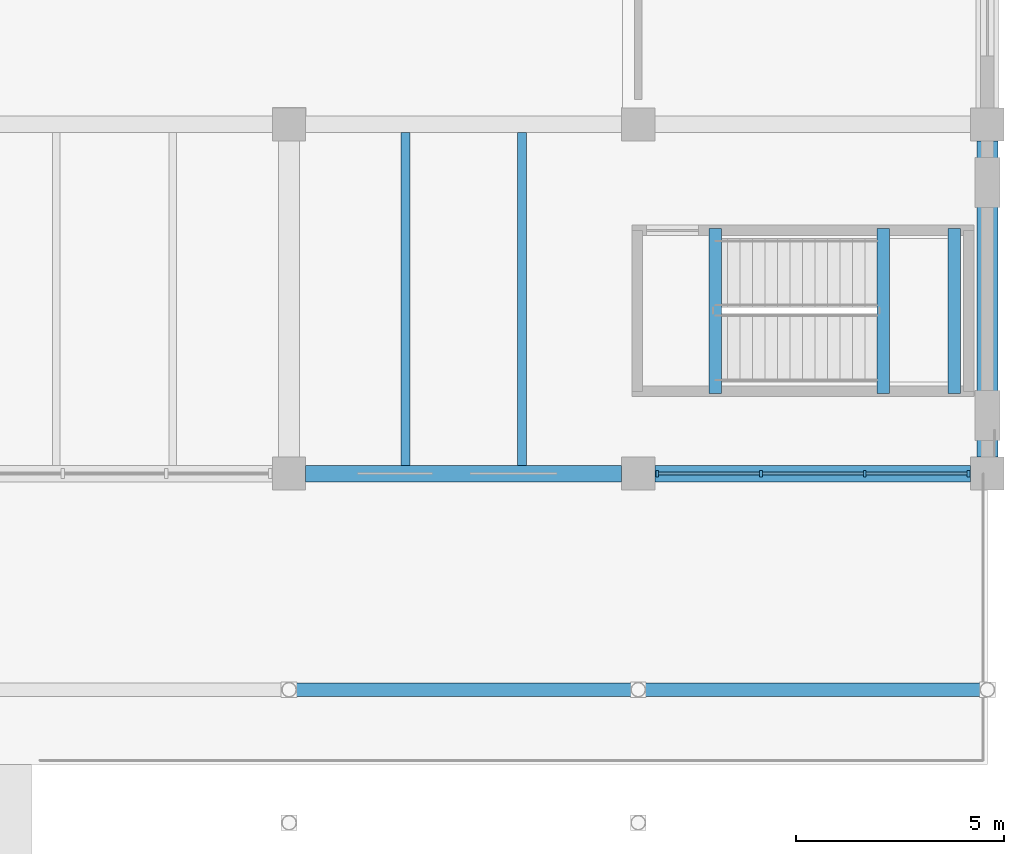
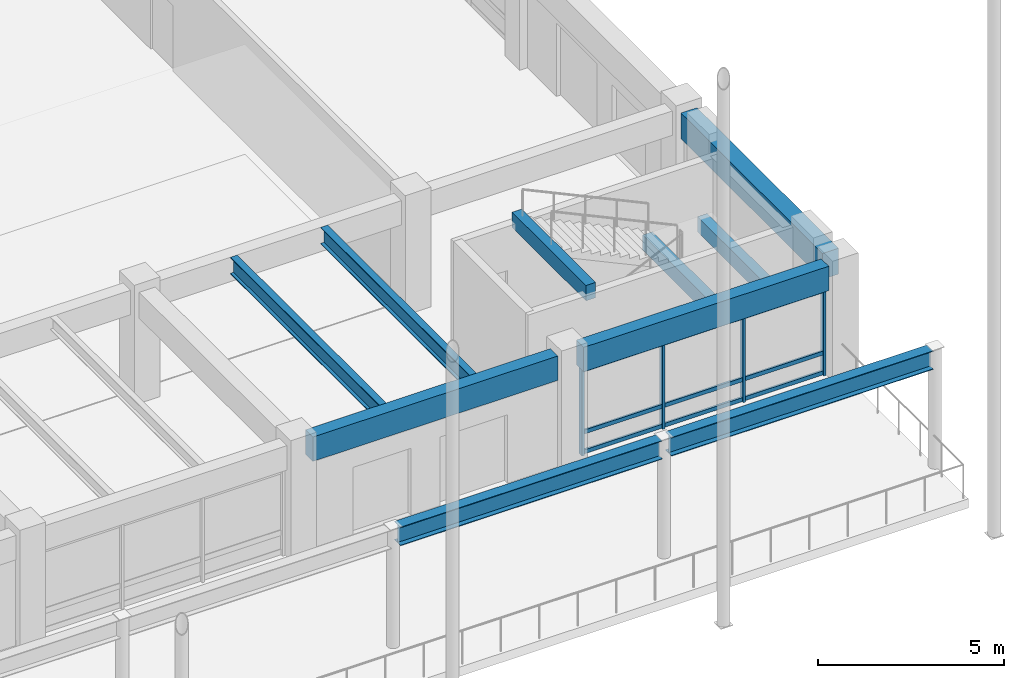
# One storey, part 52 of 135: 13 members, 10 beams, 1 element without a shape of its own.
"""IFC4 building model written with IfcOpenShell, lengths in metres."""

from ifc_helpers import new_model, si_unit, direction, frame, origin, origin_2d, place, context, subcontext, project, spatial, rectangle, i_section, extrude, material, material_profile, profile_set, type_object, element, aggregate, save


model = new_model("IFC4")

# Units and contexts
model_context = context("Model", 3, precision=1e-05, world=origin(), true_north=direction((0.0, 1.0)))
body_context = subcontext(model_context, "Body", "Model", "MODEL_VIEW")
ifc_project = project(units=[si_unit("LENGTHUNIT", "METRE"), si_unit("AREAUNIT", "SQUARE_METRE"), si_unit("VOLUMEUNIT", "CUBIC_METRE"), si_unit("PLANEANGLEUNIT", "RADIAN"), si_unit("MASSUNIT", "GRAM", prefix="KILO")], contexts=[model_context])

# Site, building, storey
site_placement = place(None, origin())
site = spatial("IfcSite", under=ifc_project, at=site_placement, CompositionType="ELEMENT")
building_placement = place(site_placement, origin())
building = spatial("IfcBuilding", under=site, at=building_placement, Name="Cumbredor Promenade Congress Hotel", CompositionType="ELEMENT")
storey_placement = place(building_placement, origin())
storey = spatial("IfcBuildingStorey", under=building, at=storey_placement, Name="L00", CompositionType="ELEMENT", Elevation=0.0)

# Beams
ifc_material_1 = material(Name="Concrete C40/50", Category="concrete")
ifc_material_profile_1 = material_profile(ifc_material_1, rectangle(XDim=0.5, YDim=0.85009765625, at=origin_2d()), Name="RC BEAM 500x850")
ifc_profile_set_1 = profile_set([ifc_material_profile_1], Name="Concrete C40/50")
beam_type_1 = type_object("IfcBeamType", Name="BM-RC-500x850", PredefinedType="BEAM", material=ifc_profile_set_1)
beam_1_placement = place(storey_placement, frame((184.800048828125, 8.800048828125, 3.215087890625), z_axis=(0.0, 1.0, 0.0), x_axis=(-1.0, 0.0, 0.0)))
element("IfcBeam", 1, at=beam_1_placement, inside=storey, type_object=beam_type_1, Name="L01 Y-Grid Beam 276", PredefinedType="BEAM", context=body_context, shape_type="SweptSolid", body=[
    extrude(rectangle(XDim=0.5, YDim=0.85009765625, at=origin_2d()), origin(), (0.0, 0.0, 1.0), 7.599853515625),
])
ifc_material_2 = material(Name="Steel ASTM A992 Grade 50", Category="steel")
ifc_material_profile_2 = material_profile(ifc_material_2, i_section(OverallWidth=0.323974609375, OverallDepth=0.611083984375, WebThickness=0.0126953125, FlangeThickness=0.01904296875, at=origin_2d()), Name="W24X104")
ifc_profile_set_2 = profile_set([ifc_material_profile_2], Name="Steel ASTM A992 Grade 50")
beam_type_2 = type_object("IfcBeamType", Name="BM-W24X104", PredefinedType="BEAM", material=ifc_profile_set_2)
beam_2_placement = place(storey_placement, frame((168.139892578125, 3.199951171875, 3.60009765625), z_axis=(1.0, 0.0, 0.0), x_axis=(0.0, 1.0, 0.0)))
element("IfcBeam", 2, at=beam_2_placement, inside=storey, type_object=beam_type_2, Name="Riverside Colonnade Edge Beam 20", PredefinedType="BEAM", context=body_context, shape_type="SweptSolid", body=[
    extrude(i_section(OverallWidth=0.323974609375, OverallDepth=0.611083984375, WebThickness=0.0126953125, FlangeThickness=0.01904296875, at=origin_2d()), origin(), (0.0, 0.0, 1.0), 8.1201171875),
])
beam_3_placement = place(storey_placement, frame((176.5400390625, 3.199951171875, 3.60009765625), z_axis=(1.0, 0.0, 0.0), x_axis=(0.0, 1.0, 0.0)))
element("IfcBeam", 3, at=beam_3_placement, inside=storey, type_object=beam_type_2, Name="Riverside Colonnade Edge Beam 21", PredefinedType="BEAM", context=body_context, shape_type="SweptSolid", body=[
    extrude(i_section(OverallWidth=0.323974609375, OverallDepth=0.611083984375, WebThickness=0.0126953125, FlangeThickness=0.01904296875, at=origin_2d()), origin(), (0.0, 0.0, 1.0), 8.119873046875),
])

# Curtain wall, members
ifc_material_3 = material(Name="Thermally broken anodized aluminium and low-E glass", Category="aluminium")
curtain_wall_type = type_object("IfcCurtainWallType", Name="Unitised Grand Foyer Curtain Wall CW-04", PredefinedType="NOTDEFINED", material=ifc_material_3)
curtain_wall_placement = place(storey_placement, origin())
curtain_wall = element("IfcCurtainWall", 4, at=curtain_wall_placement, inside=storey, type_object=curtain_wall_type, Name="L00 Grand Ballroom Pavilion South Curtain Wall 5", PredefinedType="NOTDEFINED")
ifc_material_4 = material(Name="Thermally broken anodized aluminium", Category="aluminium")
ifc_material_profile_3 = material_profile(ifc_material_4, rectangle(XDim=0.06494140625, YDim=0.159912109375, at=origin_2d()), Name="ALU MULLION 65x160")
ifc_profile_set_3 = profile_set([ifc_material_profile_3], Name="Thermally broken anodized aluminium")
member_type_1 = type_object("IfcMemberType", Name="Curtain Wall Mullion ML-01", PredefinedType="MULLION", material=ifc_profile_set_3)
member_1_placement = place(storey_placement, frame((176.85498046875, 8.39990234375, -0.008056640625), z_axis=(0.0, 0.0, 1.0), x_axis=(1.0, 0.0, 0.0)))
member_1 = element("IfcMember", 5, at=member_1_placement, type_object=member_type_1, Name="L00 Grand Ballroom Pavilion South Curtain Wall 5 Mullion 1", PredefinedType="MULLION", context=body_context, shape_type="SweptSolid", body=[
    extrude(rectangle(XDim=0.06494140625, YDim=0.159912109375, at=origin_2d()), origin(), (0.0, 0.0, 1.0), 2.841064453125),
])
member_2_placement = place(storey_placement, frame((179.351806640625, 8.39990234375, -0.008056640625), z_axis=(0.0, 0.0, 1.0), x_axis=(1.0, 0.0, 0.0)))
member_2 = element("IfcMember", 6, at=member_2_placement, type_object=member_type_1, Name="L00 Grand Ballroom Pavilion South Curtain Wall 5 Mullion 2", PredefinedType="MULLION", context=body_context, shape_type="SweptSolid", body=[
    extrude(rectangle(XDim=0.06494140625, YDim=0.159912109375, at=origin_2d()), origin(), (0.0, 0.0, 1.0), 2.841064453125),
])
member_3_placement = place(storey_placement, frame((181.848388671875, 8.39990234375, -0.008056640625), z_axis=(0.0, 0.0, 1.0), x_axis=(1.0, 0.0, 0.0)))
member_3 = element("IfcMember", 7, at=member_3_placement, type_object=member_type_1, Name="L00 Grand Ballroom Pavilion South Curtain Wall 5 Mullion 3", PredefinedType="MULLION", context=body_context, shape_type="SweptSolid", body=[
    extrude(rectangle(XDim=0.06494140625, YDim=0.159912109375, at=origin_2d()), origin(), (0.0, 0.0, 1.0), 2.841064453125),
])
member_4_placement = place(storey_placement, frame((184.344970703125, 8.39990234375, -0.008056640625), z_axis=(0.0, 0.0, 1.0), x_axis=(1.0, 0.0, 0.0)))
member_4 = element("IfcMember", 8, at=member_4_placement, type_object=member_type_1, Name="L00 Grand Ballroom Pavilion South Curtain Wall 5 Mullion 4", PredefinedType="MULLION", context=body_context, shape_type="SweptSolid", body=[
    extrude(rectangle(XDim=0.06494140625, YDim=0.159912109375, at=origin_2d()), origin(), (0.0, 0.0, 1.0), 2.841064453125),
])
ifc_material_profile_4 = material_profile(ifc_material_4, rectangle(XDim=0.06494140625, YDim=0.1298828125, at=origin_2d()), Name="ALU TRANSOM 65x130")
ifc_profile_set_4 = profile_set([ifc_material_profile_4], Name="Thermally broken anodized aluminium")
member_type_2 = type_object("IfcMemberType", Name="Curtain Wall Transom TR-01", PredefinedType="USERDEFINED", material=ifc_profile_set_4)
member_5_placement = place(storey_placement, frame((176.887451171875, 8.39990234375, 0.070068359375), z_axis=(1.0, 0.0, 0.0), x_axis=(0.0, 1.0, 0.0)))
member_5 = element("IfcMember", 9, at=member_5_placement, type_object=member_type_2, Name="L00 Grand Ballroom Pavilion South Curtain Wall 5 Transom 1.1", ObjectType="TRANSOM", PredefinedType="USERDEFINED", context=body_context, shape_type="SweptSolid", body=[
    extrude(rectangle(XDim=0.06494140625, YDim=0.1298828125, at=origin_2d()), origin(), (0.0, 0.0, 1.0), 2.431640625),
])
member_6_placement = place(storey_placement, frame((176.887451171875, 8.39990234375, 0.719970703125), z_axis=(1.0, 0.0, 0.0), x_axis=(0.0, 1.0, 0.0)))
member_6 = element("IfcMember", 10, at=member_6_placement, type_object=member_type_2, Name="L00 Grand Ballroom Pavilion South Curtain Wall 5 Transom 1.2", ObjectType="TRANSOM", PredefinedType="USERDEFINED", context=body_context, shape_type="SweptSolid", body=[
    extrude(rectangle(XDim=0.06494140625, YDim=0.1298828125, at=origin_2d()), origin(), (0.0, 0.0, 1.0), 2.431640625),
])
member_7_placement = place(storey_placement, frame((176.887451171875, 8.39990234375, 2.760009765625), z_axis=(1.0, 0.0, 0.0), x_axis=(0.0, 1.0, 0.0)))
member_7 = element("IfcMember", 11, at=member_7_placement, type_object=member_type_2, Name="L00 Grand Ballroom Pavilion South Curtain Wall 5 Transom 1.3", ObjectType="TRANSOM", PredefinedType="USERDEFINED", context=body_context, shape_type="SweptSolid", body=[
    extrude(rectangle(XDim=0.06494140625, YDim=0.1298828125, at=origin_2d()), origin(), (0.0, 0.0, 1.0), 2.431640625),
])
member_8_placement = place(storey_placement, frame((179.38427734375, 8.39990234375, 0.070068359375), z_axis=(1.0, 0.0, 0.0), x_axis=(0.0, 1.0, 0.0)))
member_8 = element("IfcMember", 12, at=member_8_placement, type_object=member_type_2, Name="L00 Grand Ballroom Pavilion South Curtain Wall 5 Transom 2.1", ObjectType="TRANSOM", PredefinedType="USERDEFINED", context=body_context, shape_type="SweptSolid", body=[
    extrude(rectangle(XDim=0.06494140625, YDim=0.1298828125, at=origin_2d()), origin(), (0.0, 0.0, 1.0), 2.431640625),
])
member_9_placement = place(storey_placement, frame((179.38427734375, 8.39990234375, 0.719970703125), z_axis=(1.0, 0.0, 0.0), x_axis=(0.0, 1.0, 0.0)))
member_9 = element("IfcMember", 13, at=member_9_placement, type_object=member_type_2, Name="L00 Grand Ballroom Pavilion South Curtain Wall 5 Transom 2.2", ObjectType="TRANSOM", PredefinedType="USERDEFINED", context=body_context, shape_type="SweptSolid", body=[
    extrude(rectangle(XDim=0.06494140625, YDim=0.1298828125, at=origin_2d()), origin(), (0.0, 0.0, 1.0), 2.431640625),
])
member_10_placement = place(storey_placement, frame((179.38427734375, 8.39990234375, 2.760009765625), z_axis=(1.0, 0.0, 0.0), x_axis=(0.0, 1.0, 0.0)))
member_10 = element("IfcMember", 14, at=member_10_placement, type_object=member_type_2, Name="L00 Grand Ballroom Pavilion South Curtain Wall 5 Transom 2.3", ObjectType="TRANSOM", PredefinedType="USERDEFINED", context=body_context, shape_type="SweptSolid", body=[
    extrude(rectangle(XDim=0.06494140625, YDim=0.1298828125, at=origin_2d()), origin(), (0.0, 0.0, 1.0), 2.431640625),
])
member_11_placement = place(storey_placement, frame((181.880859375, 8.39990234375, 0.070068359375), z_axis=(1.0, 0.0, 0.0), x_axis=(0.0, 1.0, 0.0)))
member_11 = element("IfcMember", 15, at=member_11_placement, type_object=member_type_2, Name="L00 Grand Ballroom Pavilion South Curtain Wall 5 Transom 3.1", ObjectType="TRANSOM", PredefinedType="USERDEFINED", context=body_context, shape_type="SweptSolid", body=[
    extrude(rectangle(XDim=0.06494140625, YDim=0.1298828125, at=origin_2d()), origin(), (0.0, 0.0, 1.0), 2.431640625),
])
member_12_placement = place(storey_placement, frame((181.880859375, 8.39990234375, 0.719970703125), z_axis=(1.0, 0.0, 0.0), x_axis=(0.0, 1.0, 0.0)))
member_12 = element("IfcMember", 16, at=member_12_placement, type_object=member_type_2, Name="L00 Grand Ballroom Pavilion South Curtain Wall 5 Transom 3.2", ObjectType="TRANSOM", PredefinedType="USERDEFINED", context=body_context, shape_type="SweptSolid", body=[
    extrude(rectangle(XDim=0.06494140625, YDim=0.1298828125, at=origin_2d()), origin(), (0.0, 0.0, 1.0), 2.431640625),
])
member_13_placement = place(storey_placement, frame((181.880859375, 8.39990234375, 2.760009765625), z_axis=(1.0, 0.0, 0.0), x_axis=(0.0, 1.0, 0.0)))
member_13 = element("IfcMember", 17, at=member_13_placement, type_object=member_type_2, Name="L00 Grand Ballroom Pavilion South Curtain Wall 5 Transom 3.3", ObjectType="TRANSOM", PredefinedType="USERDEFINED", context=body_context, shape_type="SweptSolid", body=[
    extrude(rectangle(XDim=0.06494140625, YDim=0.1298828125, at=origin_2d()), origin(), (0.0, 0.0, 1.0), 2.431640625),
])
aggregate(curtain_wall, [member_1, member_2, member_3, member_4, member_5, member_6, member_7, member_8, member_9, member_10, member_11, member_12, member_13])

# Beams
ifc_material_profile_5 = material_profile(ifc_material_2, i_section(OverallWidth=0.214111328125, OverallDepth=0.549072265625, WebThickness=0.0146484375, FlangeThickness=0.023681640625, at=origin_2d()), Name="W21X93")
ifc_profile_set_5 = profile_set([ifc_material_profile_5], Name="Steel ASTM A992 Grade 50")
beam_type_3 = type_object("IfcBeamType", Name="JST-W21X93", PredefinedType="JOIST", material=ifc_profile_set_5)
for number, where, z_axis, x_axis, name in (
    (18, (170.800048828125, 8.60009765625, 3.365478515625), (0.0, 1.0, 0.0), (-1.0, 0.0, 0.0), "L01 Secondary Floor Joist 0147"),
    (19, (173.60009765625, 8.60009765625, 3.365478515625), (0.0, 1.0, 0.0), (-1.0, 0.0, 0.0), "L01 Secondary Floor Joist 0148"),
):
    element("IfcBeam", number, at=place(storey_placement, frame(where, z_axis=z_axis, x_axis=x_axis)), inside=storey, type_object=beam_type_3, Name=name, PredefinedType="JOIST", context=body_context, shape_type="SweptSolid", body=[
        extrude(i_section(OverallWidth=0.214111328125, OverallDepth=0.549072265625, WebThickness=0.0146484375, FlangeThickness=0.023681640625, at=origin_2d()), origin(), (0.0, 0.0, 1.0), 8.0),
    ])
ifc_material_profile_6 = material_profile(ifc_material_1, rectangle(XDim=0.300048828125, YDim=0.5, at=origin_2d()), Name="RC LINTEL 300x500")
ifc_profile_set_6 = profile_set([ifc_material_profile_6], Name="Concrete C40/50")
beam_type_4 = type_object("IfcBeamType", Name="LN-RC-300x500", PredefinedType="LINTEL", material=ifc_profile_set_6)
for number, where, z_axis, x_axis, name in (
    (20, (184.0, 10.330078125, 1.510009765625), (0.0, 1.0, 0.0), (-1.0, 0.0, 0.0), "L00 Stair ST-09 Landing Ledger Beam E"),
    (21, (182.300048828125, 10.330078125, 1.510009765625), (0.0, 1.0, 0.0), (-1.0, 0.0, 0.0), "L00 Stair ST-09 Landing Ledger Beam W"),
    (22, (178.25, 10.330078125, 3.669921875), (0.0, 1.0, 0.0), (-1.0, 0.0, 0.0), "L01 Stair ST-09 Well Header Trimmer Beam"),
):
    element("IfcBeam", number, at=place(storey_placement, frame(where, z_axis=z_axis, x_axis=x_axis)), inside=storey, type_object=beam_type_4, Name=name, PredefinedType="LINTEL", context=body_context, shape_type="SweptSolid", body=[
        extrude(rectangle(XDim=0.300048828125, YDim=0.5, at=origin_2d()), origin(), (0.0, 0.0, 1.0), 3.969970703125),
    ])
ifc_material_profile_7 = material_profile(ifc_material_1, rectangle(XDim=0.39990234375, YDim=0.800048828125, at=origin_2d()), Name="RC SPANDREL 400x800")
ifc_profile_set_7 = profile_set([ifc_material_profile_7], Name="Concrete C40/50")
beam_type_5 = type_object("IfcBeamType", Name="SP-RC-400x800", PredefinedType="SPANDREL", material=ifc_profile_set_7)
beam_4_placement = place(storey_placement, frame((168.39990234375, 8.39990234375, 3.239990234375), z_axis=(1.0, 0.0, 0.0), x_axis=(0.0, 1.0, 0.0)))
element("IfcBeam", 23, at=beam_4_placement, inside=storey, type_object=beam_type_5, Name="L01 X-Grid Beam 255", PredefinedType="SPANDREL", context=body_context, shape_type="SweptSolid", body=[
    extrude(rectangle(XDim=0.39990234375, YDim=0.800048828125, at=origin_2d()), origin(), (0.0, 0.0, 1.0), 7.60009765625),
])
beam_5_placement = place(storey_placement, frame((176.800048828125, 8.39990234375, 3.239990234375), z_axis=(1.0, 0.0, 0.0), x_axis=(0.0, 1.0, 0.0)))
element("IfcBeam", 24, at=beam_5_placement, inside=storey, type_object=beam_type_5, Name="L01 X-Grid Beam 268", PredefinedType="SPANDREL", context=body_context, shape_type="SweptSolid", body=[
    extrude(rectangle(XDim=0.39990234375, YDim=0.800048828125, at=origin_2d()), origin(), (0.0, 0.0, 1.0), 7.599853515625),
])

save(model, "model.ifc")
